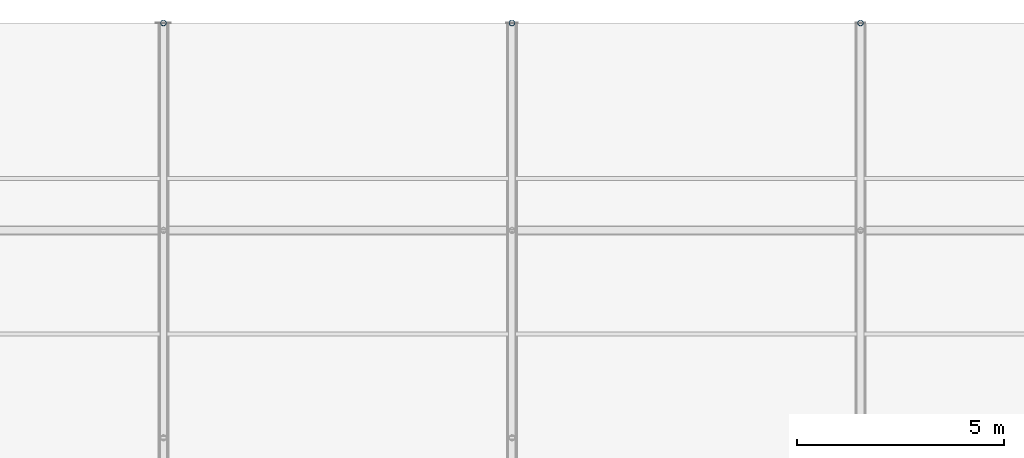
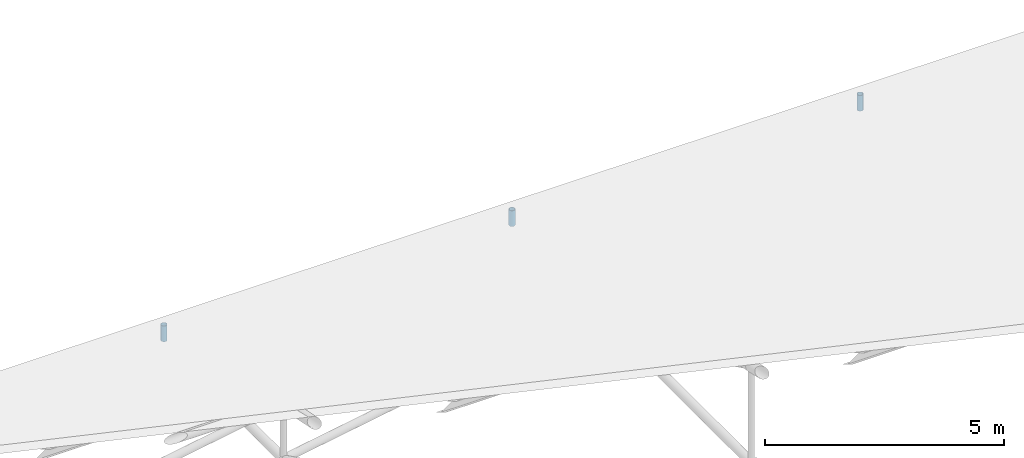
# One storey, part 153 of 194: 3 members.
"""IFC4 building model written with IfcOpenShell, lengths in metres."""

import ifcopenshell
import ifcopenshell.guid

model = None  # the IFC model being written
_history = None  # IfcOwnerHistory: only IFC2X3 demands one
_inside = {}  # id of a spatial element -> (the spatial element, [elements in it])
_under = {}  # id of a project, library or spatial element -> (it, [spatial elements below it])
_declared = {}  # id of a project -> (the project, [libraries it declares])
_typed = {}  # id of a type object -> (the type object, [elements of that type])
_made_of = {}  # id of a material, layer set ... -> (it, [elements and type objects made of it])


def new_model(schema):
    """Start an empty IFC model of exactly this schema.

    Asked for "IFC4X3", IfcOpenShell would pick the latest addendum, in which some entities
    have other attributes; the version numbers below select the first issue.
    IFC2X3 requires an IfcOwnerHistory on every rooted entity: one is made here for all.
    """
    global model, _history
    if schema == "IFC4X3":
        model = ifcopenshell.file(schema_version=(4, 3, 0, 0))
    else:
        model = ifcopenshell.file(schema=schema)
    _inside.clear()
    _under.clear()
    _declared.clear()
    _typed.clear()
    _made_of.clear()
    _history = None
    if model.schema == "IFC2X3":
        org = make("IfcOrganization", Name="unknown")
        user = make(
            "IfcPersonAndOrganization",
            ThePerson=make("IfcPerson", FamilyName="unknown"),
            TheOrganization=org,
        )
        app = make(
            "IfcApplication",
            ApplicationDeveloper=org,
            Version="unknown",
            ApplicationFullName="unknown",
            ApplicationIdentifier="unknown",
        )
        _history = make(
            "IfcOwnerHistory",
            OwningUser=user,
            OwningApplication=app,
            ChangeAction="ADDED",
            CreationDate=0,
        )
    return model


def make(cls, **values):
    """One entity of the class cls with the attributes given. An attribute that is None is left unset."""
    return model.create_entity(
        cls, **{name: value for name, value in values.items() if value is not None}
    )


def rooted(cls, **values):
    """An entity with a GlobalId (a new one), such as an element, a storey or a relation."""
    return make(cls, GlobalId=ifcopenshell.guid.new(), OwnerHistory=_history, **values)


def si_unit(unit_type, name, prefix=None):
    """IfcSIUnit, for example si_unit("LENGTHUNIT", "METRE", prefix="MILLI")."""
    return make("IfcSIUnit", UnitType=unit_type, Prefix=prefix, Name=name)


def assignment(units):
    """IfcUnitAssignment: the units of a project."""
    return None if units is None else make("IfcUnitAssignment", Units=units)


def point(xyz):
    """IfcCartesianPoint."""
    return None if xyz is None else make("IfcCartesianPoint", Coordinates=xyz)


def direction(xyz):
    """IfcDirection."""
    return None if xyz is None else make("IfcDirection", DirectionRatios=xyz)


def frame(location, z_axis=None, x_axis=None):
    """IfcAxis2Placement3D, a coordinate frame: its origin and axes. An axis left out is left unset."""
    return make(
        "IfcAxis2Placement3D",
        Location=point(location),
        Axis=direction(z_axis),
        RefDirection=direction(x_axis),
    )


def frame_2d(location, x_axis=None):
    """IfcAxis2Placement2D, a coordinate frame in the plane: its origin and x axis."""
    return make(
        "IfcAxis2Placement2D", Location=point(location), RefDirection=direction(x_axis)
    )


def origin():
    """The frame at (0, 0, 0) with its axes left unset."""
    return frame((0.0, 0.0, 0.0))


def origin_2d():
    """The frame at (0, 0) in the plane with its x axis left unset."""
    return frame_2d((0.0, 0.0))


def place(relative_to, where):
    """IfcLocalPlacement: puts the frame where relative to a parent placement (None: the world)."""
    return make(
        "IfcLocalPlacement", PlacementRelTo=relative_to, RelativePlacement=where
    )


def context(
    kind, dimensions, precision=None, world=None, true_north=None, identifier=None
):
    """IfcGeometricRepresentationContext, for example the 3D "Model" context."""
    return make(
        "IfcGeometricRepresentationContext",
        ContextIdentifier=identifier,
        ContextType=kind,
        CoordinateSpaceDimension=dimensions,
        Precision=precision,
        WorldCoordinateSystem=world,
        TrueNorth=true_north,
    )


def subcontext(parent, identifier, kind, view, scale=None):
    """IfcGeometricRepresentationSubContext, for example "Body" below "Model"."""
    return make(
        "IfcGeometricRepresentationSubContext",
        ContextIdentifier=identifier,
        ContextType=kind,
        ParentContext=parent,
        TargetScale=scale,
        TargetView=view,
    )


def project(units=None, contexts=None):
    """IfcProject with its units and contexts."""
    return rooted(
        "IfcProject",
        Name="project",
        RepresentationContexts=contexts,
        UnitsInContext=assignment(units),
    )


def spatial(cls, under=None, at=None, **own):
    """A site, building, storey or space (cls), placed at a placement, below another one or the project."""
    s = rooted(cls, ObjectPlacement=at, **own)
    if under is not None:
        _under.setdefault(under.id(), (under, []))[1].append(s)
    return s


def profile(cls, at=None, kind="AREA", **sizes):
    """A parametric profile (cls). Its sizes go by their IFC names, for example OverallWidth=200.0."""
    return make(cls, ProfileType=kind, Position=at, **sizes)


def hollow_circle(**sizes):
    """IfcCircleHollowProfileDef."""
    return profile("IfcCircleHollowProfileDef", **sizes)


def extrude(swept, where, along, depth):
    """IfcExtrudedAreaSolid: the profile swept, set in the frame where, extruded along a direction by depth."""
    return make(
        "IfcExtrudedAreaSolid",
        SweptArea=swept,
        Position=where,
        ExtrudedDirection=direction(along),
        Depth=depth,
    )


def shape(context_of_items, identifier, shape_type, items):
    """IfcShapeRepresentation: the items that make up one representation, for example the "Body"."""
    return make(
        "IfcShapeRepresentation",
        ContextOfItems=context_of_items,
        RepresentationIdentifier=identifier,
        RepresentationType=shape_type,
        Items=items,
    )


def material(Name=None, Category=None):
    """IfcMaterial."""
    return make("IfcMaterial", Name=Name, Category=Category)


def material_profile(
    of_material, cross_section, Name=None, Category=None, Priority=None
):
    """IfcMaterialProfile: a cross section and its material."""
    return make(
        "IfcMaterialProfile",
        Name=Name,
        Material=of_material,
        Profile=cross_section,
        Priority=Priority,
        Category=Category,
    )


def profile_set(profiles, Name=None, composite=None):
    """IfcMaterialProfileSet."""
    return make(
        "IfcMaterialProfileSet",
        Name=Name,
        MaterialProfiles=profiles,
        CompositeProfile=composite,
    )


def made_of(thing, what):
    """Note that an element or type object is made of a material, layer set ...; save() writes the relation."""
    if what is not None:
        _made_of.setdefault(what.id(), (what, []))[1].append(thing)
    return thing


def type_object(cls, material=None, **own):
    """A type object (cls), such as IfcWallType, which elements share."""
    return made_of(rooted(cls, **own), material)


def element(
    cls,
    number,
    at=None,
    inside=None,
    cuts=None,
    type_object=None,
    material=None,
    context=None,
    identifier="Body",
    shape_type=None,
    held_by="IfcProductDefinitionShape",
    body=None,
    shapes=None,
    **own,
):
    """One element of the class cls, such as IfcWall. Its Tag is "e" and its number.

    at: its placement. inside: the storey or other place that contains it. cuts: it is an
    opening in that element (IfcRelVoidsElement). A single representation is given by context,
    identifier, shape_type and body (its items); several are given by shapes. held_by: the class
    of the entity that holds the representations. save() writes the other relations.
    """
    e = rooted(cls, Tag="e%d" % number, ObjectPlacement=at, **own)
    if body is not None:
        shapes = [shape(context, identifier, shape_type, body)]
    if shapes is not None:
        e.Representation = make(held_by, Representations=shapes)
    if inside is not None:
        _inside.setdefault(inside.id(), (inside, []))[1].append(e)
    if cuts is not None:
        rooted(
            "IfcRelVoidsElement", RelatingBuildingElement=cuts, RelatedOpeningElement=e
        )
    if type_object is not None:
        _typed.setdefault(type_object.id(), (type_object, []))[1].append(e)
    return made_of(e, material)


def aggregate(whole, parts):
    """IfcRelAggregates: a whole, such as a stair, and the parts it consists of."""
    return rooted("IfcRelAggregates", RelatingObject=whole, RelatedObjects=parts)


def save(model, path):
    """Write the relations noted so far, then the file.

    IfcRelAggregates (storeys below a building ...), IfcRelContainedInSpatialStructure (elements
    in a storey), IfcRelDefinesByType, IfcRelAssociatesMaterial and IfcRelDeclares: one each for
    every whole, place, type object, material and project.
    """
    for whole, parts in _under.values():
        aggregate(whole, parts)
    for where, things in _inside.values():
        rooted(
            "IfcRelContainedInSpatialStructure",
            RelatedElements=things,
            RelatingStructure=where,
        )
    for kind, things in _typed.values():
        rooted("IfcRelDefinesByType", RelatedObjects=things, RelatingType=kind)
    for what, things in _made_of.values():
        rooted("IfcRelAssociatesMaterial", RelatedObjects=things, RelatingMaterial=what)
    for by, libraries in _declared.values():
        rooted("IfcRelDeclares", RelatingContext=by, RelatedDefinitions=libraries)
    model.write(path)


model = new_model("IFC4")

# Units and contexts
model_context = context("Model", 3, precision=1e-05, world=origin(), true_north=direction((0.0, 1.0)))
body_context = subcontext(model_context, "Body", "Model", "MODEL_VIEW")
ifc_project = project(units=[si_unit("LENGTHUNIT", "METRE"), si_unit("AREAUNIT", "SQUARE_METRE"), si_unit("VOLUMEUNIT", "CUBIC_METRE"), si_unit("PLANEANGLEUNIT", "RADIAN"), si_unit("MASSUNIT", "GRAM", prefix="KILO")], contexts=[model_context])

# Site, building, storey
site_placement = place(None, origin())
site = spatial("IfcSite", under=ifc_project, at=site_placement, CompositionType="ELEMENT")
building_placement = place(site_placement, origin())
building = spatial("IfcBuilding", under=site, at=building_placement, Name="Kazenagashi Tramway Depot", CompositionType="ELEMENT")
storey_placement = place(building_placement, frame((0.0, 0.0, 23.7)))
storey = spatial("IfcBuildingStorey", under=building, at=storey_placement, Name="ROOF", CompositionType="ELEMENT", Elevation=23.7)

# Members
ifc_material = material(Name="Steel STK490", Category="steel")
ifc_material_profile = material_profile(ifc_material, hollow_circle(Radius=0.0699, WallThickness=0.0066, at=origin_2d()), Name="CHS-139.8x6.6")
ifc_profile_set = profile_set([ifc_material_profile], Name="Steel STK490")
member_type = type_object("IfcMemberType", Name="TS-02", PredefinedType="STRUT", material=ifc_profile_set)
for number, where, z_axis, x_axis, name in (
    (1, (170.8, 130.0, -14.1), (0.0, 0.0, 1.0), (1.0, 0.0, 0.0), "Tubular Space Frame TS-02 MEM-0970"),
    (2, (179.2, 130.0, -14.1), (0.0, 0.0, 1.0), (1.0, 0.0, 0.0), "Tubular Space Frame TS-02 MEM-1031"),
    (3, (187.6, 130.0, -14.1), (0.0, 0.0, 1.0), (1.0, 0.0, 0.0), "Tubular Space Frame TS-02 MEM-1092"),
):
    element("IfcMember", number, at=place(storey_placement, frame(where, z_axis=z_axis, x_axis=x_axis)), inside=storey, type_object=member_type, Name=name, PredefinedType="STRUT", context=body_context, shape_type="SweptSolid", body=[
        extrude(hollow_circle(Radius=0.0699, WallThickness=0.0066, at=origin_2d()), origin(), (0.0, 0.0, 1.0), 0.4),
    ])

save(model, "model.ifc")
